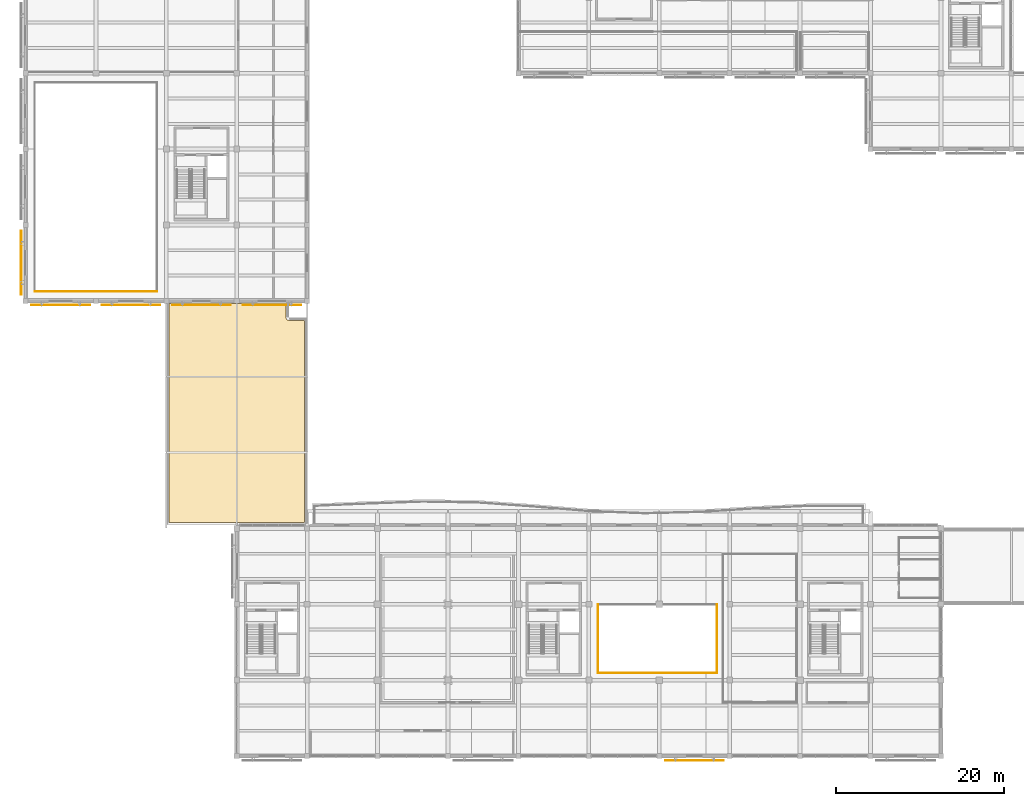
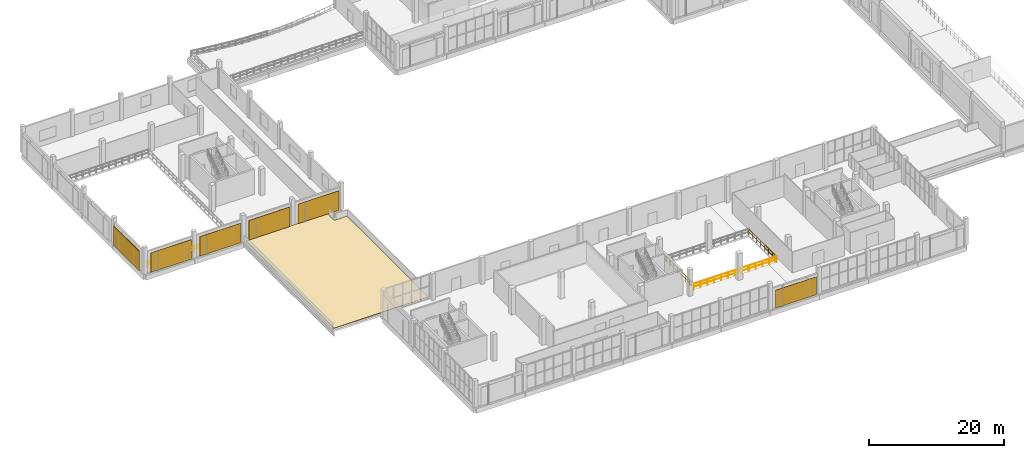
# One storey, part 70 of 80: 6 shading devices, 4 railings, 1 covering.
"""IFC4 building model written with IfcOpenShell, lengths in metres."""

from ifc_helpers import new_model, si_unit, direction, frame, origin, origin_2d, place, context, subcontext, project, spatial, polyline, rectangle, circle, outline, extrude, material, layer, layer_set, type_object, element, save


model = new_model("IFC4")

# Units and contexts
model_context = context("Model", 3, precision=1e-05, world=origin(), true_north=direction((0.0, 1.0)))
body_context = subcontext(model_context, "Body", "Model", "MODEL_VIEW")
ifc_project = project(units=[si_unit("LENGTHUNIT", "METRE"), si_unit("AREAUNIT", "SQUARE_METRE"), si_unit("VOLUMEUNIT", "CUBIC_METRE"), si_unit("PLANEANGLEUNIT", "RADIAN"), si_unit("MASSUNIT", "GRAM", prefix="KILO")], contexts=[model_context])

# Site, building, storey
site_placement = place(None, origin())
site = spatial("IfcSite", under=ifc_project, at=site_placement, CompositionType="ELEMENT")
building_placement = place(site_placement, origin())
building = spatial("IfcBuilding", under=site, at=building_placement, Name="Khurvash Pelagic Aquarium", CompositionType="ELEMENT")
storey_placement = place(building_placement, frame((0.0, 0.0, 10.800048828125)))
storey = spatial("IfcBuildingStorey", under=building, at=storey_placement, Name="L02", CompositionType="ELEMENT", Elevation=10.800048828125)

# Covering
ifc_material_1 = material(Name="TPO waterproof membrane and XPS rigid insulation", Category="insulation")
ifc_layer_1 = layer(ifc_material_1, 0.080078125)
ifc_layer_set_1 = layer_set([ifc_layer_1], Name="TPO waterproof membrane and XPS rigid insulation")
covering_type = type_object("IfcCoveringType", Name="CV-RF01", PredefinedType="ROOFING", material=ifc_layer_set_1)
covering_placement = place(storey_placement, origin())
element("IfcCovering", 1, at=covering_placement, inside=storey, type_object=covering_type, Name="L02 Insulated TPO Roof Membrane SLB-ROOF-L02-1-1", PredefinedType="ROOFING", context=body_context, shape_type="SweptSolid", body=[
    extrude(outline(polyline([(33.280029296875, 30.469970703125), (17.1201171875, 30.469970703125), (17.1201171875, 56.580078125), (31.080078125, 56.580078125), (31.080078125, 54.89990234375), (31.08203125, 54.868896484375), (31.0859375, 54.837890625), (31.093994140625, 54.806884765625), (31.10400390625, 54.778076171875), (31.117919921875, 54.7490234375), (31.134033203125, 54.721923828125), (31.153076171875, 54.697021484375), (31.174072265625, 54.674072265625), (31.197021484375, 54.653076171875), (31.221923828125, 54.634033203125), (31.2490234375, 54.617919921875), (31.278076171875, 54.60400390625), (31.306884765625, 54.593994140625), (31.337890625, 54.5859375), (31.368896484375, 54.58203125), (31.39990234375, 54.580078125), (33.280029296875, 54.580078125), (33.280029296875, 30.469970703125)])), origin(), (0.0, 0.0, 1.0), 0.079833984375),
])

# Railings
ifc_material_2 = material(Name="Powder-coated galvanised steel S355J2", Category="steel")
railing_type = type_object("IfcRailingType", Name="GR-01", PredefinedType="GUARDRAIL", material=ifc_material_2)
railing_1_placement = place(storey_placement, frame((68.300048828125, 12.5, 0.0)))
element("IfcRailing", 2, at=railing_1_placement, inside=storey, type_object=railing_type, Name="L02 VOID_ATRIUM_L02 Mezzanine Edge Guardrail GR-01", PredefinedType="GUARDRAIL", context=body_context, shape_type="SweptSolid", body=[
    extrude(circle(Radius=0.02392578125, at=origin_2d()), frame((0.0, 0.0, 1.076171875), z_axis=(1.0, 0.0, 0.0), x_axis=(0.0, 1.0, 0.0)), (0.0, 0.0, 1.0), 14.199951171875),
    extrude(circle(Radius=0.02392578125, at=origin_2d()), frame((0.0, 0.0, 0.5380859375), z_axis=(1.0, 0.0, 0.0), x_axis=(0.0, 1.0, 0.0)), (0.0, 0.0, 1.0), 14.199951171875),
    extrude(circle(Radius=0.02099609375, at=origin_2d()), origin(), (0.0, 0.0, 1.0), 1.052001953125),
    extrude(circle(Radius=0.02099609375, at=origin_2d()), frame((1.183349609375, 0.0, 0.0)), (0.0, 0.0, 1.0), 1.052001953125),
    extrude(circle(Radius=0.02099609375, at=origin_2d()), frame((2.36669921875, 0.0, 0.0)), (0.0, 0.0, 1.0), 1.052001953125),
    extrude(circle(Radius=0.02099609375, at=origin_2d()), frame((3.550048828125, 0.0, 0.0)), (0.0, 0.0, 1.0), 1.052001953125),
    extrude(circle(Radius=0.02099609375, at=origin_2d()), frame((4.7333984375, 0.0, 0.0)), (0.0, 0.0, 1.0), 1.052001953125),
    extrude(circle(Radius=0.02099609375, at=origin_2d()), frame((5.916748046875, 0.0, 0.0)), (0.0, 0.0, 1.0), 1.052001953125),
    extrude(circle(Radius=0.02099609375, at=origin_2d()), frame((7.10009765625, 0.0, 0.0)), (0.0, 0.0, 1.0), 1.052001953125),
    extrude(circle(Radius=0.02099609375, at=origin_2d()), frame((8.283203125, 0.0, 0.0)), (0.0, 0.0, 1.0), 1.052001953125),
    extrude(circle(Radius=0.02099609375, at=origin_2d()), frame((9.466552734375, 0.0, 0.0)), (0.0, 0.0, 1.0), 1.052001953125),
    extrude(circle(Radius=0.02099609375, at=origin_2d()), frame((10.64990234375, 0.0, 0.0)), (0.0, 0.0, 1.0), 1.052001953125),
    extrude(circle(Radius=0.02099609375, at=origin_2d()), frame((11.833251953125, 0.0, 0.0)), (0.0, 0.0, 1.0), 1.052001953125),
    extrude(circle(Radius=0.02099609375, at=origin_2d()), frame((13.0166015625, 0.0, 0.0)), (0.0, 0.0, 1.0), 1.052001953125),
    extrude(circle(Radius=0.02099609375, at=origin_2d()), frame((14.199951171875, 0.0, 0.0)), (0.0, 0.0, 1.0), 1.052001953125),
])
railing_2_placement = place(storey_placement, frame((82.5, 12.5, 0.0)))
element("IfcRailing", 3, at=railing_2_placement, inside=storey, type_object=railing_type, Name="L02 VOID_ATRIUM_L02 Mezzanine Edge Guardrail GR-01", PredefinedType="GUARDRAIL", context=body_context, shape_type="SweptSolid", body=[
    extrude(circle(Radius=0.02392578125, at=origin_2d()), frame((0.0, 0.0, 1.076171875), z_axis=(0.0, 1.0, 0.0), x_axis=(-1.0, 0.0, 0.0)), (0.0, 0.0, 1.0), 8.199951171875),
    extrude(circle(Radius=0.02392578125, at=origin_2d()), frame((0.0, 0.0, 0.5380859375), z_axis=(0.0, 1.0, 0.0), x_axis=(-1.0, 0.0, 0.0)), (0.0, 0.0, 1.0), 8.199951171875),
    extrude(circle(Radius=0.02099609375, at=origin_2d()), origin(), (0.0, 0.0, 1.0), 1.052001953125),
    extrude(circle(Radius=0.02099609375, at=origin_2d()), frame((0.0, 1.17138671875, 0.0)), (0.0, 0.0, 1.0), 1.052001953125),
    extrude(circle(Radius=0.02099609375, at=origin_2d()), frame((0.0, 2.3427734375, 0.0)), (0.0, 0.0, 1.0), 1.052001953125),
    extrude(circle(Radius=0.02099609375, at=origin_2d()), frame((0.0, 3.51416015625, 0.0)), (0.0, 0.0, 1.0), 1.052001953125),
    extrude(circle(Radius=0.02099609375, at=origin_2d()), frame((0.0, 4.685791015625, 0.0)), (0.0, 0.0, 1.0), 1.052001953125),
    extrude(circle(Radius=0.02099609375, at=origin_2d()), frame((0.0, 5.857177734375, 0.0)), (0.0, 0.0, 1.0), 1.052001953125),
    extrude(circle(Radius=0.02099609375, at=origin_2d()), frame((0.0, 7.028564453125, 0.0)), (0.0, 0.0, 1.0), 1.052001953125),
    extrude(circle(Radius=0.02099609375, at=origin_2d()), frame((0.0, 8.199951171875, 0.0)), (0.0, 0.0, 1.0), 1.052001953125),
])
railing_3_placement = place(storey_placement, frame((68.300048828125, 20.699951171875, 0.0)))
element("IfcRailing", 4, at=railing_3_placement, inside=storey, type_object=railing_type, Name="L02 VOID_ATRIUM_L02 Mezzanine Edge Guardrail GR-01", PredefinedType="GUARDRAIL", context=body_context, shape_type="SweptSolid", body=[
    extrude(circle(Radius=0.02392578125, at=origin_2d()), frame((0.0, 0.0, 1.076171875), z_axis=(0.0, -1.0, 0.0), x_axis=(1.0, 0.0, 0.0)), (0.0, 0.0, 1.0), 8.199951171875),
    extrude(circle(Radius=0.02392578125, at=origin_2d()), frame((0.0, 0.0, 0.5380859375), z_axis=(0.0, -1.0, 0.0), x_axis=(1.0, 0.0, 0.0)), (0.0, 0.0, 1.0), 8.199951171875),
    extrude(circle(Radius=0.02099609375, at=origin_2d()), origin(), (0.0, 0.0, 1.0), 1.052001953125),
    extrude(circle(Radius=0.02099609375, at=origin_2d()), frame((0.0, -1.17138671875, 0.0)), (0.0, 0.0, 1.0), 1.052001953125),
    extrude(circle(Radius=0.02099609375, at=origin_2d()), frame((0.0, -2.3427734375, 0.0)), (0.0, 0.0, 1.0), 1.052001953125),
    extrude(circle(Radius=0.02099609375, at=origin_2d()), frame((0.0, -3.51416015625, 0.0)), (0.0, 0.0, 1.0), 1.052001953125),
    extrude(circle(Radius=0.02099609375, at=origin_2d()), frame((0.0, -4.685791015625, 0.0)), (0.0, 0.0, 1.0), 1.052001953125),
    extrude(circle(Radius=0.02099609375, at=origin_2d()), frame((0.0, -5.857177734375, 0.0)), (0.0, 0.0, 1.0), 1.052001953125),
    extrude(circle(Radius=0.02099609375, at=origin_2d()), frame((0.0, -7.028564453125, 0.0)), (0.0, 0.0, 1.0), 1.052001953125),
    extrude(circle(Radius=0.02099609375, at=origin_2d()), frame((0.0, -8.199951171875, 0.0)), (0.0, 0.0, 1.0), 1.052001953125),
])
railing_4_placement = place(storey_placement, frame((1.10009765625, 58.0, 0.0)))
element("IfcRailing", 5, at=railing_4_placement, inside=storey, type_object=railing_type, Name="L02 VOID_AUD_L02 Mezzanine Edge Guardrail GR-01", PredefinedType="GUARDRAIL", context=body_context, shape_type="SweptSolid", body=[
    extrude(circle(Radius=0.02392578125, at=origin_2d()), frame((0.0, 0.0, 1.076171875), z_axis=(1.0, 0.0, 0.0), x_axis=(0.0, 1.0, 0.0)), (0.0, 0.0, 1.0), 14.599853515625),
    extrude(circle(Radius=0.02392578125, at=origin_2d()), frame((0.0, 0.0, 0.5380859375), z_axis=(1.0, 0.0, 0.0), x_axis=(0.0, 1.0, 0.0)), (0.0, 0.0, 1.0), 14.599853515625),
    extrude(circle(Radius=0.02099609375, at=origin_2d()), origin(), (0.0, 0.0, 1.0), 1.052001953125),
    extrude(circle(Radius=0.02099609375, at=origin_2d()), frame((1.123046875, 0.0, 0.0)), (0.0, 0.0, 1.0), 1.052001953125),
    extrude(circle(Radius=0.02099609375, at=origin_2d()), frame((2.24609375, 0.0, 0.0)), (0.0, 0.0, 1.0), 1.052001953125),
    extrude(circle(Radius=0.02099609375, at=origin_2d()), frame((3.369140625, 0.0, 0.0)), (0.0, 0.0, 1.0), 1.052001953125),
    extrude(circle(Radius=0.02099609375, at=origin_2d()), frame((4.4921875, 0.0, 0.0)), (0.0, 0.0, 1.0), 1.052001953125),
    extrude(circle(Radius=0.02099609375, at=origin_2d()), frame((5.615234375, 0.0, 0.0)), (0.0, 0.0, 1.0), 1.052001953125),
    extrude(circle(Radius=0.02099609375, at=origin_2d()), frame((6.73828125, 0.0, 0.0)), (0.0, 0.0, 1.0), 1.052001953125),
    extrude(circle(Radius=0.02099609375, at=origin_2d()), frame((7.861572265625, 0.0, 0.0)), (0.0, 0.0, 1.0), 1.052001953125),
    extrude(circle(Radius=0.02099609375, at=origin_2d()), frame((8.984619140625, 0.0, 0.0)), (0.0, 0.0, 1.0), 1.052001953125),
    extrude(circle(Radius=0.02099609375, at=origin_2d()), frame((10.107666015625, 0.0, 0.0)), (0.0, 0.0, 1.0), 1.052001953125),
    extrude(circle(Radius=0.02099609375, at=origin_2d()), frame((11.230712890625, 0.0, 0.0)), (0.0, 0.0, 1.0), 1.052001953125),
    extrude(circle(Radius=0.02099609375, at=origin_2d()), frame((12.353759765625, 0.0, 0.0)), (0.0, 0.0, 1.0), 1.052001953125),
    extrude(circle(Radius=0.02099609375, at=origin_2d()), frame((13.476806640625, 0.0, 0.0)), (0.0, 0.0, 1.0), 1.052001953125),
    extrude(circle(Radius=0.02099609375, at=origin_2d()), frame((14.599853515625, 0.0, 0.0)), (0.0, 0.0, 1.0), 1.052001953125),
])

# Shading devices
ifc_material_3 = material(Name="Extruded anodised aluminium fin", Category="aluminium")
ifc_layer_2 = layer(ifc_material_3, 0.074951171875)
ifc_layer_set_2 = layer_set([ifc_layer_2], Name="Extruded anodised aluminium fin")
shading_device_type_1 = type_object("IfcShadingDeviceType", Name="SH-FIN", PredefinedType="USERDEFINED", material=ifc_layer_set_2)
shading_device_1_placement = place(storey_placement, frame((-0.510009765625, 61.425048828125, 0.19921875), z_axis=(0.0, 0.0, 1.0), x_axis=(0.0, -1.0, 0.0)))
element("IfcShadingDevice", 6, at=shading_device_1_placement, inside=storey, type_object=shading_device_type_1, Name="L02 Perforated Aluminium Jali Screen SH-FIN 0028", ObjectType="SOLAR FIN", PredefinedType="USERDEFINED", context=body_context, shape_type="SweptSolid", body=[
    extrude(rectangle(XDim=7.639892578125, YDim=0.074951171875, at=origin_2d()), origin(), (0.0, 0.0, 1.0), 3.531005859375),
])
ifc_material_4 = material(Name="Perforated anodised aluminium AW-5005", Category="aluminium")
ifc_layer_3 = layer(ifc_material_4, 0.06005859375)
ifc_layer_set_3 = layer_set([ifc_layer_3], Name="Perforated anodised aluminium AW-5005")
shading_device_type_2 = type_object("IfcShadingDeviceType", Name="SH-JAL", PredefinedType="JALOUSIE", material=ifc_layer_set_3)
shading_device_2_placement = place(storey_placement, frame((79.800048828125, 2.090087890625, 0.199951171875), z_axis=(0.0, 0.0, 1.0), x_axis=(1.0, 0.0, 0.0)))
element("IfcShadingDevice", 7, at=shading_device_2_placement, inside=storey, type_object=shading_device_type_2, Name="L02 Perforated Aluminium Jali Screen SH-JAL 0015", PredefinedType="JALOUSIE", context=body_context, shape_type="SweptSolid", body=[
    extrude(rectangle(XDim=6.989990234375, YDim=0.06005859375, at=origin_2d()), origin(), (0.0, 0.0, 1.0), 3.22998046875),
])
for number, where, z_axis, x_axis, name in (
    (8, (4.199951171875, 56.389892578125, 0.19921875), (0.0, 0.0, 1.0), (1.0, 0.0, 0.0), "L02 Perforated Aluminium Jali Screen SH-JAL 0029"),
    (9, (12.60009765625, 56.389892578125, 0.19921875), (0.0, 0.0, 1.0), (1.0, 0.0, 0.0), "L02 Perforated Aluminium Jali Screen SH-JAL 0030"),
    (10, (21.0, 56.389892578125, 0.19921875), (0.0, 0.0, 1.0), (1.0, 0.0, 0.0), "L02 Perforated Aluminium Jali Screen SH-JAL 0031"),
    (11, (29.39990234375, 56.389892578125, 0.19921875), (0.0, 0.0, 1.0), (1.0, 0.0, 0.0), "L02 Perforated Aluminium Jali Screen SH-JAL 0032"),
):
    element("IfcShadingDevice", number, at=place(storey_placement, frame(where, z_axis=z_axis, x_axis=x_axis)), inside=storey, type_object=shading_device_type_2, Name=name, PredefinedType="JALOUSIE", context=body_context, shape_type="SweptSolid", body=[
        extrude(rectangle(XDim=6.989990234375, YDim=0.06005859375, at=origin_2d()), origin(), (0.0, 0.0, 1.0), 3.531005859375),
    ])

save(model, "model.ifc")
